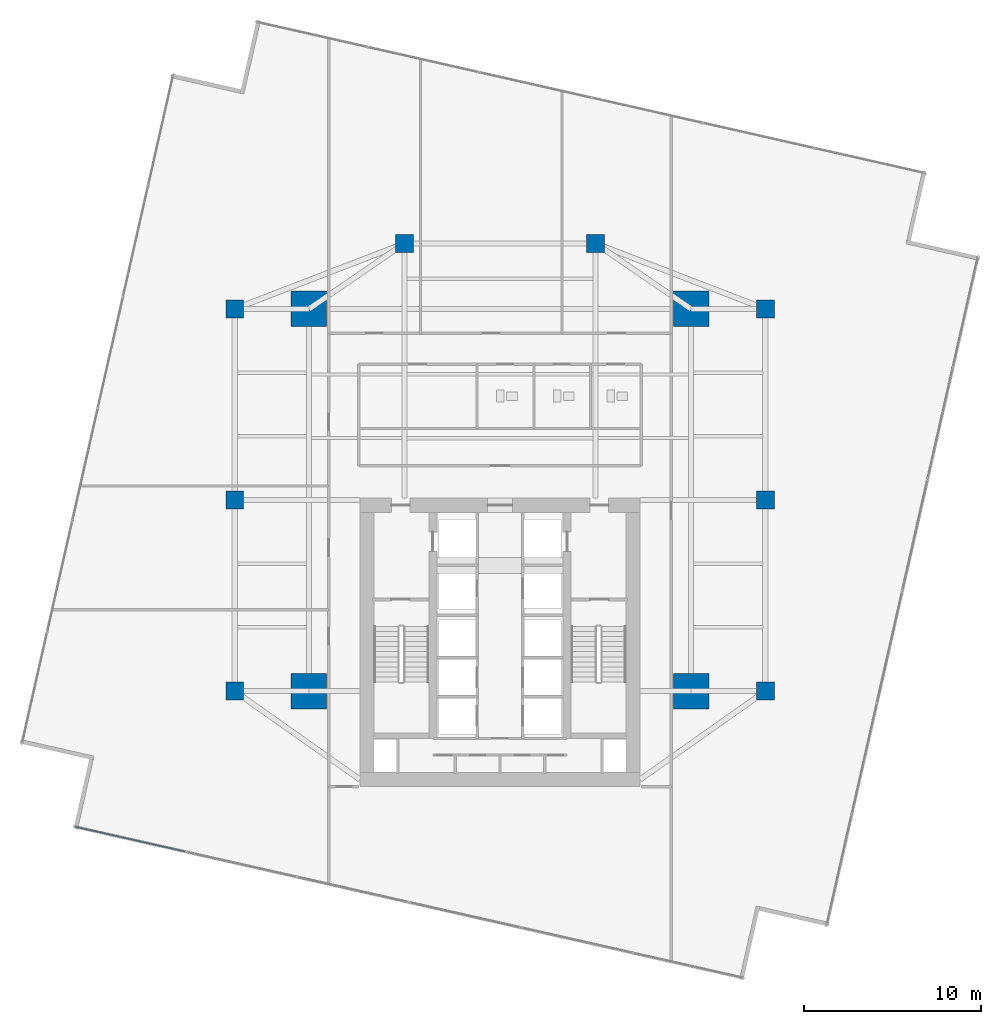
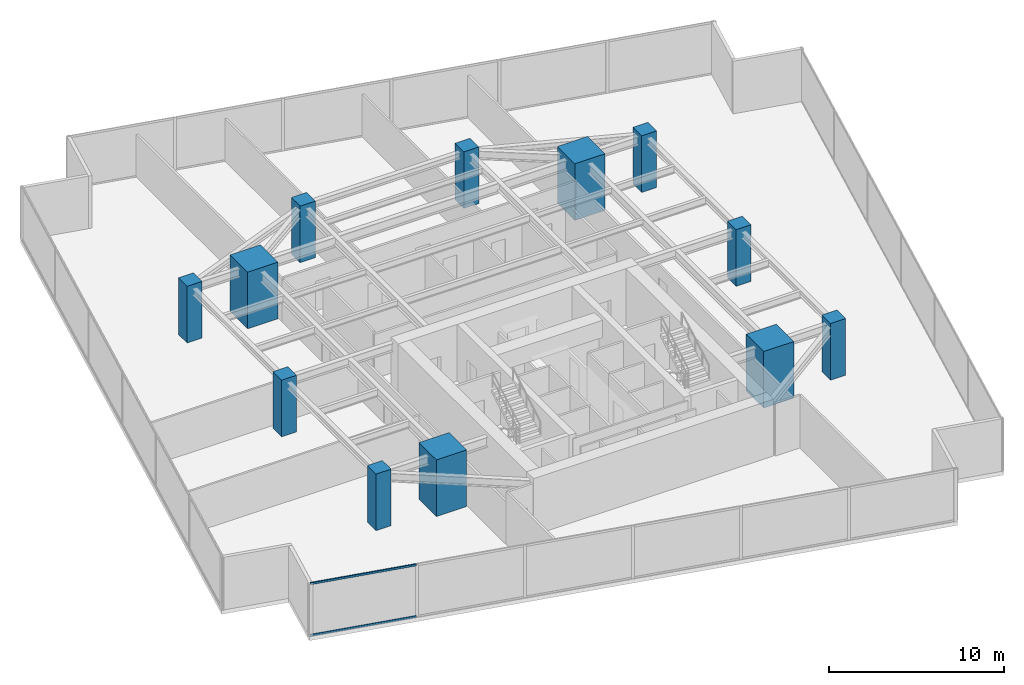
# One storey, part 1 of 26: 12 columns, 2 members, 1 element without a shape of its own.
"""IFC4 building model written with IfcOpenShell, lengths in metres."""

from ifc_helpers import new_model, si_unit, direction, frame, origin, origin_2d, place, context, subcontext, project, spatial, rectangle, hollow_rectangle, extrude, source, transform, mapped, material, material_profile, profile_set, type_object, type_shapes, element, aggregate, save


model = new_model("IFC4")

# Units and contexts
model_context = context("Model", 3, precision=1e-05, world=origin(), true_north=direction((0.0, 1.0)))
body_context = subcontext(model_context, "Body", "Model", "MODEL_VIEW")
ifc_project = project(units=[si_unit("LENGTHUNIT", "METRE"), si_unit("AREAUNIT", "SQUARE_METRE"), si_unit("VOLUMEUNIT", "CUBIC_METRE"), si_unit("PLANEANGLEUNIT", "RADIAN"), si_unit("MASSUNIT", "GRAM", prefix="KILO")], contexts=[model_context])

# Site, building, storey
site_placement = place(None, origin())
site = spatial("IfcSite", under=ifc_project, at=site_placement, CompositionType="ELEMENT")
building_placement = place(site_placement, origin())
building = spatial("IfcBuilding", under=site, at=building_placement, Name="Krantzveldt Concourse Tower", CompositionType="ELEMENT")
storey_placement = place(building_placement, frame((0.0, 0.0, 90.050048828125)))
storey = spatial("IfcBuildingStorey", under=building, at=storey_placement, Name="L21", CompositionType="ELEMENT", Elevation=90.050048828125)

# Columns
ifc_material_1 = material(Name="Concrete C60/75", Category="concrete")
ifc_material_profile_1 = material_profile(ifc_material_1, rectangle(XDim=2.0, YDim=2.0, at=origin_2d()), Name="Concrete C60/75", Category="concrete")
ifc_profile_set_1 = profile_set([ifc_material_profile_1], Name="Concrete C60/75 - RC 2000x2000")
column_type_1 = type_object("IfcColumnType", Name="COL-MC-2000", PredefinedType="USERDEFINED", material=ifc_profile_set_1)
shared_shape_1 = source(origin(), body_context, "Body", "SweptSolid", [
    extrude(rectangle(XDim=2.0, YDim=2.0, at=origin_2d()), origin(), (0.0, 0.0, 1.0), 3.949951171875),
])
type_shapes(column_type_1, [shared_shape_1])
for number, where, z_axis, x_axis, name in (
    (1, (25.199951171875, 15.89990234375, 0.0), (0.0, 0.0, 1.0), (1.0, 0.0, 0.0), "MC-SW-L21"),
    (2, (46.800048828125, 15.89990234375, 0.0), (0.0, 0.0, 1.0), (1.0, 0.0, 0.0), "MC-SE-L21"),
    (3, (46.800048828125, 37.5, 0.0), (0.0, 0.0, 1.0), (1.0, 0.0, 0.0), "MC-NE-L21"),
    (4, (25.199951171875, 37.5, 0.0), (0.0, 0.0, 1.0), (1.0, 0.0, 0.0), "MC-NW-L21"),
):
    element("IfcColumn", number, at=place(storey_placement, frame(where, z_axis=z_axis, x_axis=x_axis)), inside=storey, type_object=column_type_1, Name=name, ObjectType="MEGA COLUMN", PredefinedType="USERDEFINED", context=body_context, shape_type="MappedRepresentation", body=[
        mapped(shared_shape_1, transform((0.0, 0.0, 0.0), x_axis=(1.0, 0.0, 0.0), y_axis=(0.0, 1.0, 0.0), z_axis=(0.0, 0.0, 1.0), scale=1.0)),
    ])
ifc_material_profile_2 = material_profile(ifc_material_1, rectangle(XDim=1.0, YDim=1.0, at=origin_2d()), Name="Concrete C60/75", Category="concrete")
ifc_profile_set_2 = profile_set([ifc_material_profile_2], Name="Concrete C60/75 - RC 1000x1000")
column_type_2 = type_object("IfcColumnType", Name="COL-C-Z2", PredefinedType="COLUMN", material=ifc_profile_set_2)
shared_shape_2 = source(origin(), body_context, "Body", "SweptSolid", [
    extrude(rectangle(XDim=1.0, YDim=1.0, at=origin_2d()), origin(), (0.0, 0.0, 1.0), 3.949951171875),
])
type_shapes(column_type_2, [shared_shape_2])
for number, where, z_axis, x_axis, name in (
    (5, (21.0, 15.89990234375, 0.0), (0.0, 0.0, 1.0), (1.0, 0.0, 0.0), "PC-R01-L21"),
    (6, (21.0, 26.699951171875, 0.0), (0.0, 0.0, 1.0), (1.0, 0.0, 0.0), "PC-R02-L21"),
    (7, (21.0, 37.5, 0.0), (0.0, 0.0, 1.0), (1.0, 0.0, 0.0), "PC-R03-L21"),
    (8, (30.60009765625, 41.199951171875, 0.0), (0.0, 0.0, 1.0), (1.0, 0.0, 0.0), "PC-R04-L21"),
    (9, (41.39990234375, 41.199951171875, 0.0), (0.0, 0.0, 1.0), (1.0, 0.0, 0.0), "PC-R05-L21"),
    (10, (51.0, 37.5, 0.0), (0.0, 0.0, 1.0), (1.0, 0.0, 0.0), "PC-R06-L21"),
    (11, (51.0, 26.699951171875, 0.0), (0.0, 0.0, 1.0), (1.0, 0.0, 0.0), "PC-R07-L21"),
    (12, (51.0, 15.89990234375, 0.0), (0.0, 0.0, 1.0), (1.0, 0.0, 0.0), "PC-R08-L21"),
):
    element("IfcColumn", number, at=place(storey_placement, frame(where, z_axis=z_axis, x_axis=x_axis)), inside=storey, type_object=column_type_2, Name=name, PredefinedType="COLUMN", context=body_context, shape_type="MappedRepresentation", body=[
        mapped(shared_shape_2, transform((0.0, 0.0, 0.0), x_axis=(1.0, 0.0, 0.0), y_axis=(0.0, 1.0, 0.0), z_axis=(0.0, 0.0, 1.0), scale=1.0)),
    ])

# Curtain wall, members
ifc_material_2 = material(Name="Anodised aluminium 6063-T6", Category="aluminium")
curtain_wall_type = type_object("IfcCurtainWallType", Name="CW2", PredefinedType="USERDEFINED", material=ifc_material_2)
curtain_wall_placement = place(storey_placement, origin())
curtain_wall = element("IfcCurtainWall", 13, at=curtain_wall_placement, inside=storey, type_object=curtain_wall_type, Name="CW-L21-F04", ObjectType="UNITISED CURTAIN WALL", PredefinedType="USERDEFINED")
ifc_material_profile_3 = material_profile(ifc_material_2, hollow_rectangle(XDim=0.070068359375, YDim=0.139892578125, WallThickness=0.0048828125, at=origin_2d()), Name="Anodised aluminium 6063-T6", Category="aluminium")
ifc_profile_set_3 = profile_set([ifc_material_profile_3], Name="Anodised aluminium 6063-T6 - ALU-TRAN 140x70x5")
member_type = type_object("IfcMemberType", Name="CW-TRN-150", PredefinedType="USERDEFINED", material=ifc_profile_set_3)
shared_shape_3 = source(origin(), body_context, "Body", "SweptSolid", [
    extrude(hollow_rectangle(XDim=0.070068359375, YDim=0.139892578125, WallThickness=0.0048828125, at=origin_2d()), origin(), (0.0, 0.0, 1.0), 6.36181640625),
])
type_shapes(member_type, [shared_shape_3])
member_1_placement = place(storey_placement, frame((12.002197265625, 8.23095703125, 0.034912109375), z_axis=(0.975340894424, -0.220703737314, 0.0), x_axis=(0.220703737314, 0.975340894424, 0.0)))
member_1 = element("IfcMember", 14, at=member_1_placement, type_object=member_type, Name="CW-Z12 transom 1.1", ObjectType="TRANSOM", PredefinedType="USERDEFINED", context=body_context, shape_type="MappedRepresentation", body=[
    mapped(shared_shape_3, transform((0.0, 0.0, 0.0), x_axis=(1.0, 0.0, 0.0), y_axis=(0.0, 1.0, 0.0), z_axis=(0.0, 0.0, 1.0), scale=1.0)),
])
member_2_placement = place(storey_placement, frame((12.002197265625, 8.23095703125, 3.635009765625), z_axis=(0.975340894424, -0.220703737314, 0.0), x_axis=(0.220703737314, 0.975340894424, 0.0)))
member_2 = element("IfcMember", 15, at=member_2_placement, type_object=member_type, Name="CW-Z12 transom 1.2", ObjectType="TRANSOM", PredefinedType="USERDEFINED", context=body_context, shape_type="MappedRepresentation", body=[
    mapped(shared_shape_3, transform((0.0, 0.0, 0.0), x_axis=(1.0, 0.0, 0.0), y_axis=(0.0, 1.0, 0.0), z_axis=(0.0, 0.0, 1.0), scale=1.0)),
])
aggregate(curtain_wall, [member_1, member_2])

save(model, "model.ifc")
